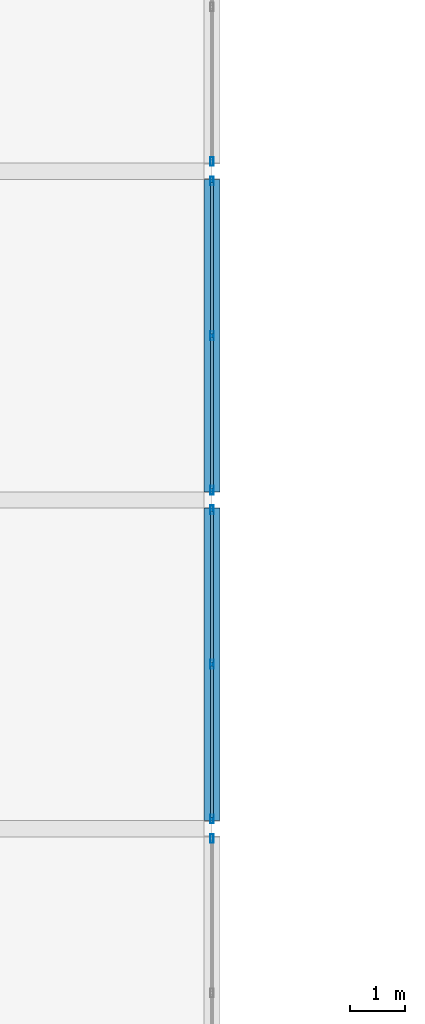
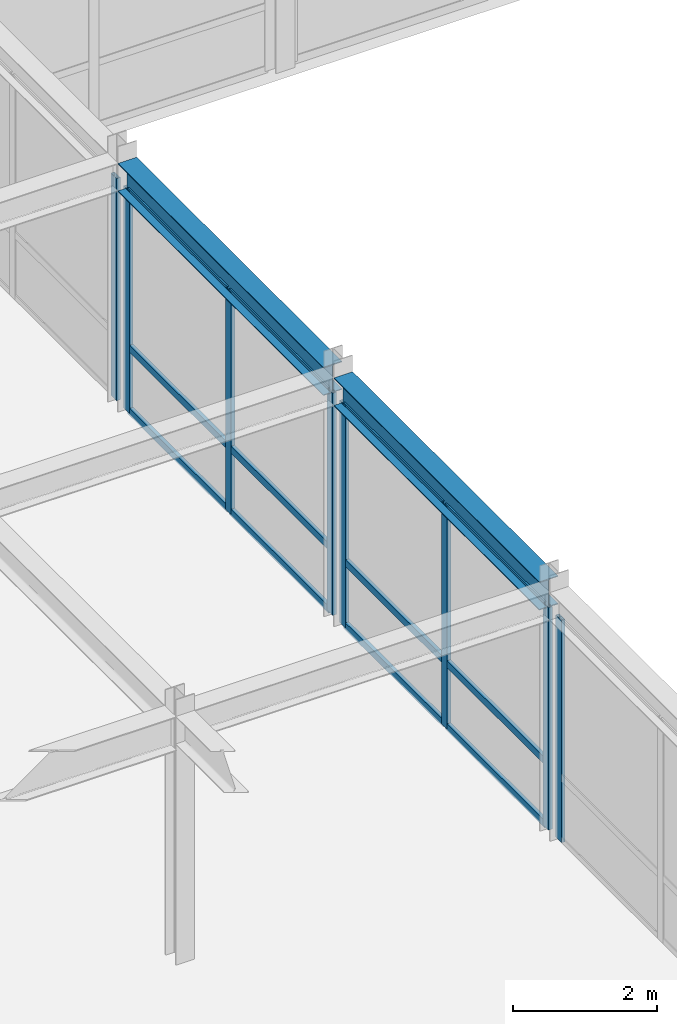
# One storey, part 42 of 108: 20 members, 2 beams, 4 elements without a shape of their own.
"""IFC4 building model written with IfcOpenShell, lengths in metres."""

from ifc_helpers import new_model, si_unit, direction, frame, origin, origin_2d, place, context, subcontext, project, spatial, hollow_rectangle, i_section, extrude, material, layer, layer_set, material_profile, profile_set, type_object, element, aggregate, save


model = new_model("IFC4")

# Units and contexts
model_context = context("Model", 3, precision=1e-05, world=origin(), true_north=direction((0.0, 1.0)))
body_context = subcontext(model_context, "Body", "Model", "MODEL_VIEW")
ifc_project = project(units=[si_unit("LENGTHUNIT", "METRE"), si_unit("AREAUNIT", "SQUARE_METRE"), si_unit("VOLUMEUNIT", "CUBIC_METRE"), si_unit("PLANEANGLEUNIT", "RADIAN"), si_unit("MASSUNIT", "GRAM", prefix="KILO")], contexts=[model_context])

# Site, building, storey
site_placement = place(None, origin())
site = spatial("IfcSite", under=ifc_project, at=site_placement, CompositionType="ELEMENT")
building_placement = place(site_placement, origin())
building = spatial("IfcBuilding", under=site, at=building_placement, Name="Zlatovratsky Civic Hall", CompositionType="ELEMENT")
storey_placement = place(building_placement, frame((0.0, 0.0, 12.0)))
storey = spatial("IfcBuildingStorey", under=building, at=storey_placement, Name="L03", CompositionType="ELEMENT", Elevation=12.0)

# Beams
ifc_material_1 = material(Name="Steel S355", Category="steel")
ifc_material_profile_1 = material_profile(ifc_material_1, i_section(OverallWidth=0.300048828125, OverallDepth=0.48193359375, WebThickness=0.010986328125, FlangeThickness=0.014892578125, FilletRadius=0.02392578125, at=origin_2d()), Name="50Sh1")
ifc_profile_set_1 = profile_set([ifc_material_profile_1], Name="Steel S355")
beam_type = type_object("IfcBeamType", Name="Beam_LibraryGirder_50Sh1", PredefinedType="BEAM", material=ifc_profile_set_1)
for number, where, z_axis, x_axis, name in (
    (1, (18.0, 48.14794921875, 3.97900390625), (0.0, 1.0, 0.0), (-1.0, 0.0, 0.0), "BM-2833"),
    (2, (18.0, 54.14794921875, 3.97900390625), (0.0, 1.0, 0.0), (-1.0, 0.0, 0.0), "BM-2834"),
):
    element("IfcBeam", number, at=place(storey_placement, frame(where, z_axis=z_axis, x_axis=x_axis)), inside=storey, type_object=beam_type, Name=name, PredefinedType="BEAM", context=body_context, shape_type="SweptSolid", body=[
        extrude(i_section(OverallWidth=0.300048828125, OverallDepth=0.48193359375, WebThickness=0.010986328125, FlangeThickness=0.014892578125, FilletRadius=0.02392578125, at=origin_2d()), origin(), (0.0, 0.0, 1.0), 5.7041015625),
    ])

# Curtain wall, member
ifc_material_2 = material(Name="Anodised bronze aluminium", Category="aluminium")
ifc_layer = layer(ifc_material_2, 0.159912109375)
ifc_layer_set = layer_set([ifc_layer], Name="Anodised bronze aluminium")
curtain_wall_type = type_object("IfcCurtainWallType", Name="CurtainWall_Bronze_5700x3770_12", PredefinedType="NOTDEFINED", material=ifc_layer_set)
curtain_wall_1_placement = place(storey_placement, origin())
curtain_wall_1 = element("IfcCurtainWall", 3, at=curtain_wall_1_placement, inside=storey, type_object=curtain_wall_type, Name="CW-059", PredefinedType="NOTDEFINED")
ifc_material_profile_2 = material_profile(ifc_material_2, hollow_rectangle(XDim=0.06005859375, YDim=0.159912109375, WallThickness=0.00390625, at=origin_2d()), Name="ALU 60x160x4")
ifc_profile_set_2 = profile_set([ifc_material_profile_2], Name="Anodised bronze aluminium")
member_type_1 = type_object("IfcMemberType", Name="CW_Mullion_60x160", PredefinedType="MULLION", material=ifc_profile_set_2)
member_1_placement = place(storey_placement, frame((18.0, 47.822021484375, 0.0), z_axis=(0.0, 0.0, 1.0), x_axis=(-1.0, 0.0, 0.0)))
member_1 = element("IfcMember", 4, at=member_1_placement, type_object=member_type_1, Name="CW-12 mullion 3", PredefinedType="MULLION", context=body_context, shape_type="SweptSolid", body=[
    extrude(hollow_rectangle(XDim=0.06005859375, YDim=0.159912109375, WallThickness=0.00390625, at=origin_2d()), origin(), (0.0, 0.0, 1.0), 3.77001953125),
])
aggregate(curtain_wall_1, [member_1])

# Curtain wall, members
curtain_wall_2_placement = place(storey_placement, origin())
curtain_wall_2 = element("IfcCurtainWall", 5, at=curtain_wall_2_placement, inside=storey, type_object=curtain_wall_type, Name="CW-060", PredefinedType="NOTDEFINED")
member_2_placement = place(storey_placement, frame((18.0, 48.177978515625, 0.0), z_axis=(0.0, 0.0, 1.0), x_axis=(-1.0, 0.0, 0.0)))
member_2 = element("IfcMember", 6, at=member_2_placement, type_object=member_type_1, Name="CW-12 mullion 1", PredefinedType="MULLION", context=body_context, shape_type="SweptSolid", body=[
    extrude(hollow_rectangle(XDim=0.06005859375, YDim=0.159912109375, WallThickness=0.00390625, at=origin_2d()), origin(), (0.0, 0.0, 1.0), 3.77001953125),
])
member_3_placement = place(storey_placement, frame((18.0, 51.0, 0.0), z_axis=(0.0, 0.0, 1.0), x_axis=(-1.0, 0.0, 0.0)))
member_3 = element("IfcMember", 7, at=member_3_placement, type_object=member_type_1, Name="CW-12 mullion 2", PredefinedType="MULLION", context=body_context, shape_type="SweptSolid", body=[
    extrude(hollow_rectangle(XDim=0.06005859375, YDim=0.159912109375, WallThickness=0.00390625, at=origin_2d()), origin(), (0.0, 0.0, 1.0), 3.77001953125),
])
member_4_placement = place(storey_placement, frame((18.0, 53.822021484375, 0.0), z_axis=(0.0, 0.0, 1.0), x_axis=(-1.0, 0.0, 0.0)))
member_4 = element("IfcMember", 8, at=member_4_placement, type_object=member_type_1, Name="CW-12 mullion 3", PredefinedType="MULLION", context=body_context, shape_type="SweptSolid", body=[
    extrude(hollow_rectangle(XDim=0.06005859375, YDim=0.159912109375, WallThickness=0.00390625, at=origin_2d()), origin(), (0.0, 0.0, 1.0), 3.77001953125),
])

curtain_wall_3_placement = place(storey_placement, origin())
curtain_wall_3 = element("IfcCurtainWall", 9, at=curtain_wall_3_placement, inside=storey, type_object=curtain_wall_type, Name="CW-061", PredefinedType="NOTDEFINED")
member_5_placement = place(storey_placement, frame((18.0, 54.177978515625, 0.0), z_axis=(0.0, 0.0, 1.0), x_axis=(-1.0, 0.0, 0.0)))
member_5 = element("IfcMember", 10, at=member_5_placement, type_object=member_type_1, Name="CW-12 mullion 1", PredefinedType="MULLION", context=body_context, shape_type="SweptSolid", body=[
    extrude(hollow_rectangle(XDim=0.06005859375, YDim=0.159912109375, WallThickness=0.00390625, at=origin_2d()), origin(), (0.0, 0.0, 1.0), 3.77001953125),
])
member_6_placement = place(storey_placement, frame((18.0, 57.0, 0.0), z_axis=(0.0, 0.0, 1.0), x_axis=(-1.0, 0.0, 0.0)))
member_6 = element("IfcMember", 11, at=member_6_placement, type_object=member_type_1, Name="CW-12 mullion 2", PredefinedType="MULLION", context=body_context, shape_type="SweptSolid", body=[
    extrude(hollow_rectangle(XDim=0.06005859375, YDim=0.159912109375, WallThickness=0.00390625, at=origin_2d()), origin(), (0.0, 0.0, 1.0), 3.77001953125),
])
member_7_placement = place(storey_placement, frame((18.0, 59.822021484375, 0.0), z_axis=(0.0, 0.0, 1.0), x_axis=(-1.0, 0.0, 0.0)))
member_7 = element("IfcMember", 12, at=member_7_placement, type_object=member_type_1, Name="CW-12 mullion 3", PredefinedType="MULLION", context=body_context, shape_type="SweptSolid", body=[
    extrude(hollow_rectangle(XDim=0.06005859375, YDim=0.159912109375, WallThickness=0.00390625, at=origin_2d()), origin(), (0.0, 0.0, 1.0), 3.77001953125),
])

# Curtain wall, member
curtain_wall_4_placement = place(storey_placement, origin())
curtain_wall_4 = element("IfcCurtainWall", 13, at=curtain_wall_4_placement, inside=storey, type_object=curtain_wall_type, Name="CW-062", PredefinedType="NOTDEFINED")
member_8_placement = place(storey_placement, frame((18.0, 60.177978515625, 0.0), z_axis=(0.0, 0.0, 1.0), x_axis=(-1.0, 0.0, 0.0)))
member_8 = element("IfcMember", 14, at=member_8_placement, type_object=member_type_1, Name="CW-12 mullion 1", PredefinedType="MULLION", context=body_context, shape_type="SweptSolid", body=[
    extrude(hollow_rectangle(XDim=0.06005859375, YDim=0.159912109375, WallThickness=0.00390625, at=origin_2d()), origin(), (0.0, 0.0, 1.0), 3.77001953125),
])
aggregate(curtain_wall_4, [member_8])

# Member
ifc_material_profile_3 = material_profile(ifc_material_2, hollow_rectangle(XDim=0.06005859375, YDim=0.1201171875, WallThickness=0.00390625, at=origin_2d()), Name="ALU 60x120x4")
ifc_profile_set_3 = profile_set([ifc_material_profile_3], Name="Anodised bronze aluminium")
member_type_2 = type_object("IfcMemberType", Name="CW_Transom_60x120", PredefinedType="USERDEFINED", material=ifc_profile_set_3)
member_9_placement = place(storey_placement, frame((18.0, 48.2080078125, 0.030029296875), z_axis=(0.0, 1.0, 0.0), x_axis=(-1.0, 0.0, 0.0)))
member_9 = element("IfcMember", 15, at=member_9_placement, type_object=member_type_2, Name="CW-12 transom 1.1", ObjectType="TRANSOM", PredefinedType="USERDEFINED", context=body_context, shape_type="SweptSolid", body=[
    extrude(hollow_rectangle(XDim=0.06005859375, YDim=0.1201171875, WallThickness=0.00390625, at=origin_2d()), origin(), (0.0, 0.0, 1.0), 2.761962890625),
])

member_10_placement = place(storey_placement, frame((18.0, 48.2080078125, 1.10009765625), z_axis=(0.0, 1.0, 0.0), x_axis=(-1.0, 0.0, 0.0)))
member_10 = element("IfcMember", 16, at=member_10_placement, type_object=member_type_2, Name="CW-12 transom 1.2", ObjectType="TRANSOM", PredefinedType="USERDEFINED", context=body_context, shape_type="SweptSolid", body=[
    extrude(hollow_rectangle(XDim=0.06005859375, YDim=0.1201171875, WallThickness=0.00390625, at=origin_2d()), origin(), (0.0, 0.0, 1.0), 2.761962890625),
])

member_11_placement = place(storey_placement, frame((18.0, 48.2080078125, 3.739990234375), z_axis=(0.0, 1.0, 0.0), x_axis=(-1.0, 0.0, 0.0)))
member_11 = element("IfcMember", 17, at=member_11_placement, type_object=member_type_2, Name="CW-12 transom 1.3", ObjectType="TRANSOM", PredefinedType="USERDEFINED", context=body_context, shape_type="SweptSolid", body=[
    extrude(hollow_rectangle(XDim=0.06005859375, YDim=0.1201171875, WallThickness=0.00390625, at=origin_2d()), origin(), (0.0, 0.0, 1.0), 2.761962890625),
])

member_12_placement = place(storey_placement, frame((18.0, 51.030029296875, 0.030029296875), z_axis=(0.0, 1.0, 0.0), x_axis=(-1.0, 0.0, 0.0)))
member_12 = element("IfcMember", 18, at=member_12_placement, type_object=member_type_2, Name="CW-12 transom 2.1", ObjectType="TRANSOM", PredefinedType="USERDEFINED", context=body_context, shape_type="SweptSolid", body=[
    extrude(hollow_rectangle(XDim=0.06005859375, YDim=0.1201171875, WallThickness=0.00390625, at=origin_2d()), origin(), (0.0, 0.0, 1.0), 2.761962890625),
])

member_13_placement = place(storey_placement, frame((18.0, 51.030029296875, 1.10009765625), z_axis=(0.0, 1.0, 0.0), x_axis=(-1.0, 0.0, 0.0)))
member_13 = element("IfcMember", 19, at=member_13_placement, type_object=member_type_2, Name="CW-12 transom 2.2", ObjectType="TRANSOM", PredefinedType="USERDEFINED", context=body_context, shape_type="SweptSolid", body=[
    extrude(hollow_rectangle(XDim=0.06005859375, YDim=0.1201171875, WallThickness=0.00390625, at=origin_2d()), origin(), (0.0, 0.0, 1.0), 2.761962890625),
])

member_14_placement = place(storey_placement, frame((18.0, 51.030029296875, 3.739990234375), z_axis=(0.0, 1.0, 0.0), x_axis=(-1.0, 0.0, 0.0)))
member_14 = element("IfcMember", 20, at=member_14_placement, type_object=member_type_2, Name="CW-12 transom 2.3", ObjectType="TRANSOM", PredefinedType="USERDEFINED", context=body_context, shape_type="SweptSolid", body=[
    extrude(hollow_rectangle(XDim=0.06005859375, YDim=0.1201171875, WallThickness=0.00390625, at=origin_2d()), origin(), (0.0, 0.0, 1.0), 2.761962890625),
])

aggregate(curtain_wall_2, [member_2, member_3, member_4, member_9, member_10, member_11, member_12, member_13, member_14])

member_15_placement = place(storey_placement, frame((18.0, 54.2080078125, 0.030029296875), z_axis=(0.0, 1.0, 0.0), x_axis=(-1.0, 0.0, 0.0)))
member_15 = element("IfcMember", 21, at=member_15_placement, type_object=member_type_2, Name="CW-12 transom 1.1", ObjectType="TRANSOM", PredefinedType="USERDEFINED", context=body_context, shape_type="SweptSolid", body=[
    extrude(hollow_rectangle(XDim=0.06005859375, YDim=0.1201171875, WallThickness=0.00390625, at=origin_2d()), origin(), (0.0, 0.0, 1.0), 2.761962890625),
])

member_16_placement = place(storey_placement, frame((18.0, 54.2080078125, 1.10009765625), z_axis=(0.0, 1.0, 0.0), x_axis=(-1.0, 0.0, 0.0)))
member_16 = element("IfcMember", 22, at=member_16_placement, type_object=member_type_2, Name="CW-12 transom 1.2", ObjectType="TRANSOM", PredefinedType="USERDEFINED", context=body_context, shape_type="SweptSolid", body=[
    extrude(hollow_rectangle(XDim=0.06005859375, YDim=0.1201171875, WallThickness=0.00390625, at=origin_2d()), origin(), (0.0, 0.0, 1.0), 2.761962890625),
])

member_17_placement = place(storey_placement, frame((18.0, 54.2080078125, 3.739990234375), z_axis=(0.0, 1.0, 0.0), x_axis=(-1.0, 0.0, 0.0)))
member_17 = element("IfcMember", 23, at=member_17_placement, type_object=member_type_2, Name="CW-12 transom 1.3", ObjectType="TRANSOM", PredefinedType="USERDEFINED", context=body_context, shape_type="SweptSolid", body=[
    extrude(hollow_rectangle(XDim=0.06005859375, YDim=0.1201171875, WallThickness=0.00390625, at=origin_2d()), origin(), (0.0, 0.0, 1.0), 2.761962890625),
])

member_18_placement = place(storey_placement, frame((18.0, 57.030029296875, 0.030029296875), z_axis=(0.0, 1.0, 0.0), x_axis=(-1.0, 0.0, 0.0)))
member_18 = element("IfcMember", 24, at=member_18_placement, type_object=member_type_2, Name="CW-12 transom 2.1", ObjectType="TRANSOM", PredefinedType="USERDEFINED", context=body_context, shape_type="SweptSolid", body=[
    extrude(hollow_rectangle(XDim=0.06005859375, YDim=0.1201171875, WallThickness=0.00390625, at=origin_2d()), origin(), (0.0, 0.0, 1.0), 2.761962890625),
])

member_19_placement = place(storey_placement, frame((18.0, 57.030029296875, 1.10009765625), z_axis=(0.0, 1.0, 0.0), x_axis=(-1.0, 0.0, 0.0)))
member_19 = element("IfcMember", 25, at=member_19_placement, type_object=member_type_2, Name="CW-12 transom 2.2", ObjectType="TRANSOM", PredefinedType="USERDEFINED", context=body_context, shape_type="SweptSolid", body=[
    extrude(hollow_rectangle(XDim=0.06005859375, YDim=0.1201171875, WallThickness=0.00390625, at=origin_2d()), origin(), (0.0, 0.0, 1.0), 2.761962890625),
])

member_20_placement = place(storey_placement, frame((18.0, 57.030029296875, 3.739990234375), z_axis=(0.0, 1.0, 0.0), x_axis=(-1.0, 0.0, 0.0)))
member_20 = element("IfcMember", 26, at=member_20_placement, type_object=member_type_2, Name="CW-12 transom 2.3", ObjectType="TRANSOM", PredefinedType="USERDEFINED", context=body_context, shape_type="SweptSolid", body=[
    extrude(hollow_rectangle(XDim=0.06005859375, YDim=0.1201171875, WallThickness=0.00390625, at=origin_2d()), origin(), (0.0, 0.0, 1.0), 2.761962890625),
])

aggregate(curtain_wall_3, [member_5, member_6, member_7, member_15, member_16, member_17, member_18, member_19, member_20])

save(model, "model.ifc")
